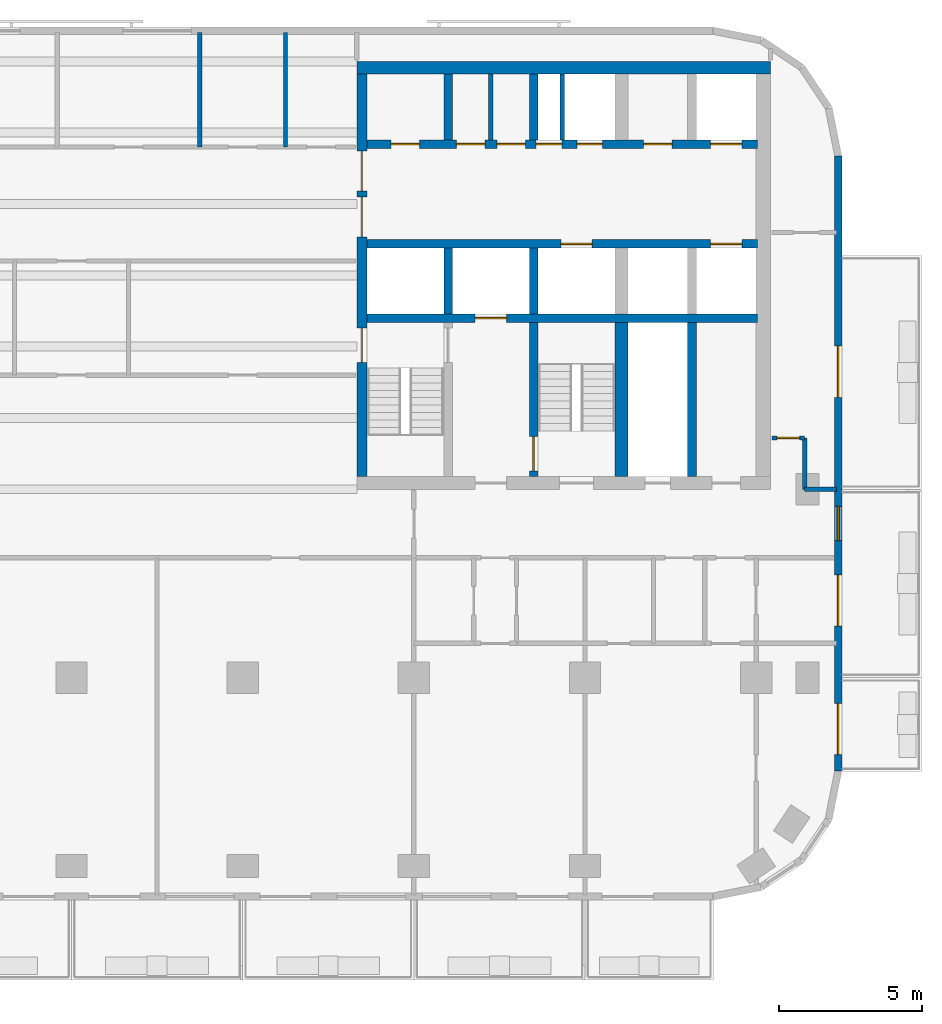
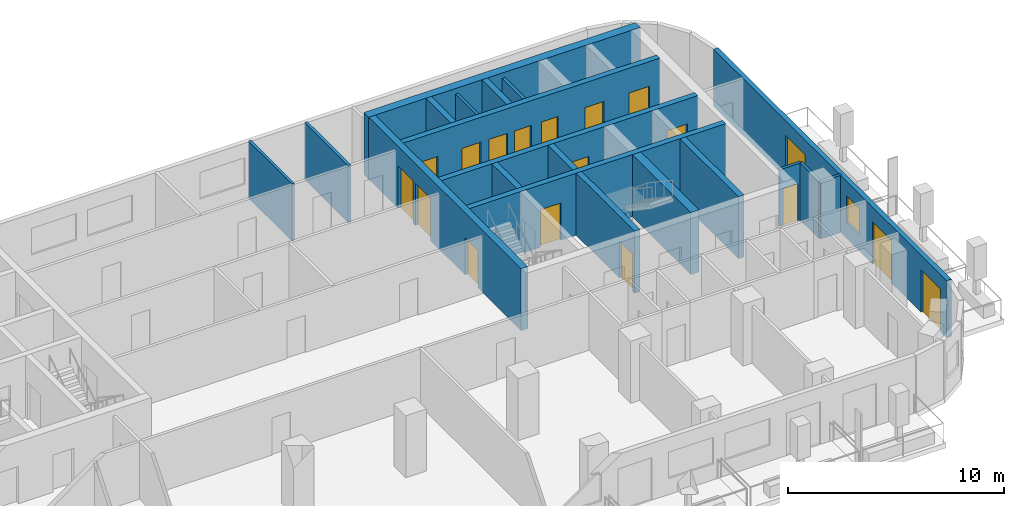
# One storey, part 6 of 11: 20 walls, 18 doors, 1 window, 19 openings.
"""IFC4 building model written with IfcOpenShell, lengths in metres."""

from ifc_helpers import new_model, si_unit, direction, frame, frame_2d, origin, place, context, subcontext, project, spatial, rectangle, extrude, material, layer, layer_set, type_object, element, fill, save


model = new_model("IFC4")

# Units and contexts
model_context = context("Model", 3, precision=1e-05, world=origin(), true_north=direction((0.0, 1.0)))
body_context = subcontext(model_context, "Body", "Model", "MODEL_VIEW")
ifc_project = project(units=[si_unit("LENGTHUNIT", "METRE"), si_unit("AREAUNIT", "SQUARE_METRE"), si_unit("VOLUMEUNIT", "CUBIC_METRE"), si_unit("PLANEANGLEUNIT", "RADIAN"), si_unit("MASSUNIT", "GRAM", prefix="KILO")], contexts=[model_context])

# Site, building, storey
site_placement = place(None, origin())
site = spatial("IfcSite", under=ifc_project, at=site_placement, CompositionType="ELEMENT")
building_placement = place(site_placement, origin())
building = spatial("IfcBuilding", under=site, at=building_placement, Name="Torana Hotel and Residences", CompositionType="ELEMENT")
storey_placement = place(building_placement, frame((0.0, 0.0, 208.10009765625)))
storey = spatial("IfcBuildingStorey", under=building, at=storey_placement, Name="L54", CompositionType="ELEMENT", Elevation=208.10009765625)

# Wall, openings, doors
ifc_material_1 = material(Name="Concrete C70/85", Category="concrete")
ifc_layer_1 = layer(ifc_material_1, 0.300048828125)
ifc_layer_set_1 = layer_set([ifc_layer_1], Name="CORE WALL 300 C70/85")
wall_type_1 = type_object("IfcWallType", Name="CORE WALL 300 C70/85", PredefinedType="SHEAR", material=ifc_layer_set_1)
wall_1_placement = place(storey_placement, frame((10.35009765625, -2.89990234375, 0.0), z_axis=(0.0, 0.0, 1.0), x_axis=(1.0, 0.0, 0.0)))
wall_1 = element("IfcWall", 1, at=wall_1_placement, inside=storey, type_object=wall_type_1, Name="Core wall E row-N", PredefinedType="SHEAR", context=body_context, shape_type="SweptSolid", body=[
    extrude(rectangle(XDim=13.699951171875, YDim=0.300048828125, at=frame_2d((6.85009765625, 0.0))), origin(), (0.0, 0.0, 1.0), 3.5),
])
opening_1_placement = place(wall_1_placement, frame((12.050048828125, 0.0, 0.0)))
opening_1 = element("IfcOpeningElement", 2, at=opening_1_placement, cuts=wall_1, Name="Opening LD", PredefinedType="OPENING", context=body_context, shape_type="SweptSolid", body=[
    extrude(rectangle(XDim=1.10009765625, YDim=2.10009765625, at=frame_2d((0.550048828125, 1.050048828125))), frame((0.0, 0.159912109375, 0.0), z_axis=(0.0, -1.0, 0.0), x_axis=(1.0, 0.0, 0.0)), (0.0, 0.0, 1.0), 0.320068359375),
])
opening_2_placement = place(wall_1_placement, frame((5.9375, 0.0, 0.0)))
opening_2 = element("IfcOpeningElement", 3, at=opening_2_placement, cuts=wall_1, Name="Opening L54-23", PredefinedType="OPENING", context=body_context, shape_type="SweptSolid", body=[
    extrude(rectangle(XDim=0.89990234375, YDim=2.10009765625, at=frame_2d((0.449951171875, 1.050048828125))), frame((0.0, 0.159912109375, 0.0), z_axis=(0.0, -1.0, 0.0), x_axis=(1.0, 0.0, 0.0)), (0.0, 0.0, 1.0), 0.320068359375),
])
opening_3_placement = place(wall_1_placement, frame((7.362548828125, 0.0, 0.0)))
opening_3 = element("IfcOpeningElement", 4, at=opening_3_placement, cuts=wall_1, Name="Opening L54-24", PredefinedType="OPENING", context=body_context, shape_type="SweptSolid", body=[
    extrude(rectangle(XDim=0.89990234375, YDim=2.10009765625, at=frame_2d((0.449951171875, 1.050048828125))), frame((0.0, 0.159912109375, 0.0), z_axis=(0.0, -1.0, 0.0), x_axis=(1.0, 0.0, 0.0)), (0.0, 0.0, 1.0), 0.320068359375),
])
opening_4_placement = place(wall_1_placement, frame((0.85009765625, 0.0, 0.0)))
opening_4 = element("IfcOpeningElement", 5, at=opening_4_placement, cuts=wall_1, Name="Opening L54-25", PredefinedType="OPENING", context=body_context, shape_type="SweptSolid", body=[
    extrude(rectangle(XDim=1.0, YDim=2.10009765625, at=frame_2d((0.5, 1.050048828125))), frame((0.0, 0.159912109375, 0.0), z_axis=(0.0, -1.0, 0.0), x_axis=(1.0, 0.0, 0.0)), (0.0, 0.0, 1.0), 0.320068359375),
])
opening_5_placement = place(wall_1_placement, frame((3.137451171875, 0.0, 0.0)))
opening_5 = element("IfcOpeningElement", 6, at=opening_5_placement, cuts=wall_1, Name="Opening L54-26", PredefinedType="OPENING", context=body_context, shape_type="SweptSolid", body=[
    extrude(rectangle(XDim=1.0, YDim=2.10009765625, at=frame_2d((0.5, 1.050048828125))), frame((0.0, 0.159912109375, 0.0), z_axis=(0.0, -1.0, 0.0), x_axis=(1.0, 0.0, 0.0)), (0.0, 0.0, 1.0), 0.320068359375),
])
opening_6_placement = place(wall_1_placement, frame((4.5625, 0.0, 0.0)))
opening_6 = element("IfcOpeningElement", 7, at=opening_6_placement, cuts=wall_1, Name="Opening L54-27", PredefinedType="OPENING", context=body_context, shape_type="SweptSolid", body=[
    extrude(rectangle(XDim=1.0, YDim=2.10009765625, at=frame_2d((0.5, 1.050048828125))), frame((0.0, 0.159912109375, 0.0), z_axis=(0.0, -1.0, 0.0), x_axis=(1.0, 0.0, 0.0)), (0.0, 0.0, 1.0), 0.320068359375),
])
opening_7_placement = place(wall_1_placement, frame((9.699951171875, 0.0, 0.0)))
opening_7 = element("IfcOpeningElement", 8, at=opening_7_placement, cuts=wall_1, Name="Opening L54-28", PredefinedType="OPENING", context=body_context, shape_type="SweptSolid", body=[
    extrude(rectangle(XDim=1.0, YDim=2.10009765625, at=frame_2d((0.5, 1.050048828125))), frame((0.0, 0.159912109375, 0.0), z_axis=(0.0, -1.0, 0.0), x_axis=(1.0, 0.0, 0.0)), (0.0, 0.0, 1.0), 0.320068359375),
])
ifc_material_2 = material(Name="Steel S235", Category="steel")
door_type_1 = type_object("IfcDoorType", Name="CORE ROOM FIRE DOOR D14 1000x2100", OperationType="SINGLE_SWING_LEFT", PredefinedType="DOOR", material=ifc_material_2)
door_1_placement = place(opening_4_placement, origin())
door_1 = element("IfcDoor", 9, at=door_1_placement, inside=storey, type_object=door_type_1, Name="N0 door L54", OperationType="SINGLE_SWING_RIGHT", OverallHeight=2.10009765625, OverallWidth=1.0, PredefinedType="DOOR", context=body_context, shape_type="SweptSolid", body=[
    extrude(rectangle(XDim=1.0, YDim=2.10009765625, at=frame_2d((0.5, 1.050048828125))), frame((0.0, 0.02490234375, 0.0), z_axis=(0.0, -1.0, 0.0), x_axis=(1.0, 0.0, 0.0)), (0.0, 0.0, 1.0), 0.050048828125),
])
fill(opening_4, door_1)
door_2_placement = place(opening_5_placement, origin())
door_2 = element("IfcDoor", 10, at=door_2_placement, inside=storey, type_object=door_type_1, Name="N1A door L54", OperationType="SINGLE_SWING_RIGHT", OverallHeight=2.10009765625, OverallWidth=1.0, PredefinedType="DOOR", context=body_context, shape_type="SweptSolid", body=[
    extrude(rectangle(XDim=1.0, YDim=2.10009765625, at=frame_2d((0.5, 1.050048828125))), frame((0.0, 0.02490234375, 0.0), z_axis=(0.0, -1.0, 0.0), x_axis=(1.0, 0.0, 0.0)), (0.0, 0.0, 1.0), 0.050048828125),
])
fill(opening_5, door_2)
door_3_placement = place(opening_6_placement, origin())
door_3 = element("IfcDoor", 11, at=door_3_placement, inside=storey, type_object=door_type_1, Name="N1B door L54", OperationType="SINGLE_SWING_RIGHT", OverallHeight=2.10009765625, OverallWidth=1.0, PredefinedType="DOOR", context=body_context, shape_type="SweptSolid", body=[
    extrude(rectangle(XDim=1.0, YDim=2.10009765625, at=frame_2d((0.5, 1.050048828125))), frame((0.0, 0.02490234375, 0.0), z_axis=(0.0, -1.0, 0.0), x_axis=(1.0, 0.0, 0.0)), (0.0, 0.0, 1.0), 0.050048828125),
])
fill(opening_6, door_3)
door_4_placement = place(opening_7_placement, origin())
door_4 = element("IfcDoor", 12, at=door_4_placement, inside=storey, type_object=door_type_1, Name="Freed-S2 door L54", OperationType="SINGLE_SWING_RIGHT", OverallHeight=2.10009765625, OverallWidth=1.0, PredefinedType="DOOR", context=body_context, shape_type="SweptSolid", body=[
    extrude(rectangle(XDim=1.0, YDim=2.10009765625, at=frame_2d((0.5, 1.050048828125))), frame((0.0, 0.02490234375, 0.0), z_axis=(0.0, -1.0, 0.0), x_axis=(1.0, 0.0, 0.0)), (0.0, 0.0, 1.0), 0.050048828125),
])
fill(opening_7, door_4)
ifc_material_3 = material(Name="Stainless steel 316", Category="steel")
door_type_2 = type_object("IfcDoorType", Name="LIFT LANDING DOOR LD 1100x2100", OperationType="DOUBLE_DOOR_SLIDING", PredefinedType="USERDEFINED", material=ifc_material_3)
door_5_placement = place(opening_1_placement, origin())
door_5 = element("IfcDoor", 13, at=door_5_placement, inside=storey, type_object=door_type_2, Name="Lift landing door M3 L54", ObjectType="LIFT LANDING DOOR", OperationType="DOUBLE_DOOR_SLIDING", OverallHeight=2.10009765625, OverallWidth=1.10009765625, PredefinedType="USERDEFINED", context=body_context, shape_type="SweptSolid", body=[
    extrude(rectangle(XDim=1.10009765625, YDim=2.10009765625, at=frame_2d((0.550048828125, 1.050048828125))), frame((0.0, 0.02490234375, 0.0), z_axis=(0.0, -1.0, 0.0), x_axis=(1.0, 0.0, 0.0)), (0.0, 0.0, 1.0), 0.050048828125),
])
fill(opening_1, door_5)
ifc_material_4 = material(Name="Steel S235", Category="steel")
door_type_3 = type_object("IfcDoorType", Name="RISER ACCESS DOOR D5 900x2100", OperationType="SINGLE_SWING_LEFT", PredefinedType="DOOR", material=ifc_material_4)
door_6_placement = place(opening_2_placement, origin())
door_6 = element("IfcDoor", 14, at=door_6_placement, inside=storey, type_object=door_type_3, Name="N2A door L54", OperationType="SINGLE_SWING_RIGHT", OverallHeight=2.10009765625, OverallWidth=0.89990234375, PredefinedType="DOOR", context=body_context, shape_type="SweptSolid", body=[
    extrude(rectangle(XDim=0.89990234375, YDim=2.10009765625, at=frame_2d((0.449951171875, 1.050048828125))), frame((0.0, 0.02490234375, 0.0), z_axis=(0.0, -1.0, 0.0), x_axis=(1.0, 0.0, 0.0)), (0.0, 0.0, 1.0), 0.050048828125),
])
fill(opening_2, door_6)
door_7_placement = place(opening_3_placement, origin())
door_7 = element("IfcDoor", 15, at=door_7_placement, inside=storey, type_object=door_type_3, Name="N2B door L54", OperationType="SINGLE_SWING_RIGHT", OverallHeight=2.10009765625, OverallWidth=0.89990234375, PredefinedType="DOOR", context=body_context, shape_type="SweptSolid", body=[
    extrude(rectangle(XDim=0.89990234375, YDim=2.10009765625, at=frame_2d((0.449951171875, 1.050048828125))), frame((0.0, 0.02490234375, 0.0), z_axis=(0.0, -1.0, 0.0), x_axis=(1.0, 0.0, 0.0)), (0.0, 0.0, 1.0), 0.050048828125),
])
fill(opening_3, door_7)

wall_2_placement = place(storey_placement, frame((10.35009765625, -6.39990234375, 0.0), z_axis=(0.0, 0.0, 1.0), x_axis=(1.0, 0.0, 0.0)))
wall_2 = element("IfcWall", 16, at=wall_2_placement, inside=storey, type_object=wall_type_1, Name="Core wall E row-S", PredefinedType="SHEAR", context=body_context, shape_type="SweptSolid", body=[
    extrude(rectangle(XDim=13.699951171875, YDim=0.300048828125, at=frame_2d((6.85009765625, 0.0))), origin(), (0.0, 0.0, 1.0), 3.5),
])
opening_8_placement = place(wall_2_placement, frame((12.050048828125, 0.0, 0.0)))
opening_8 = element("IfcOpeningElement", 17, at=opening_8_placement, cuts=wall_2, Name="Opening LD", PredefinedType="OPENING", context=body_context, shape_type="SweptSolid", body=[
    extrude(rectangle(XDim=1.10009765625, YDim=2.10009765625, at=frame_2d((0.550048828125, 1.050048828125))), frame((0.0, 0.159912109375, 0.0), z_axis=(0.0, -1.0, 0.0), x_axis=(1.0, 0.0, 0.0)), (0.0, 0.0, 1.0), 0.320068359375),
])
opening_9_placement = place(wall_2_placement, frame((6.800048828125, 0.0, 0.0)))
opening_9 = element("IfcOpeningElement", 18, at=opening_9_placement, cuts=wall_2, Name="Opening LD", PredefinedType="OPENING", context=body_context, shape_type="SweptSolid", body=[
    extrude(rectangle(XDim=1.10009765625, YDim=2.10009765625, at=frame_2d((0.550048828125, 1.050048828125))), frame((0.0, 0.159912109375, 0.0), z_axis=(0.0, -1.0, 0.0), x_axis=(1.0, 0.0, 0.0)), (0.0, 0.0, 1.0), 0.320068359375),
])
door_8_placement = place(opening_8_placement, origin())
door_8 = element("IfcDoor", 19, at=door_8_placement, inside=storey, type_object=door_type_2, Name="Lift landing door M4 L54", ObjectType="LIFT LANDING DOOR", OperationType="DOUBLE_DOOR_SLIDING", OverallHeight=2.10009765625, OverallWidth=1.10009765625, PredefinedType="USERDEFINED", context=body_context, shape_type="SweptSolid", body=[
    extrude(rectangle(XDim=1.10009765625, YDim=2.10009765625, at=frame_2d((0.550048828125, 1.050048828125))), frame((0.0, 0.02490234375, 0.0), z_axis=(0.0, -1.0, 0.0), x_axis=(1.0, 0.0, 0.0)), (0.0, 0.0, 1.0), 0.050048828125),
])
fill(opening_8, door_8)
door_9_placement = place(opening_9_placement, origin())
door_9 = element("IfcDoor", 20, at=door_9_placement, inside=storey, type_object=door_type_2, Name="Lift landing door SV2 L54", ObjectType="LIFT LANDING DOOR", OperationType="DOUBLE_DOOR_SLIDING", OverallHeight=2.10009765625, OverallWidth=1.10009765625, PredefinedType="USERDEFINED", context=body_context, shape_type="SweptSolid", body=[
    extrude(rectangle(XDim=1.10009765625, YDim=2.10009765625, at=frame_2d((0.550048828125, 1.050048828125))), frame((0.0, 0.02490234375, 0.0), z_axis=(0.0, -1.0, 0.0), x_axis=(1.0, 0.0, 0.0)), (0.0, 0.0, 1.0), 0.050048828125),
])
fill(opening_9, door_9)

# Wall, opening, door
wall_3_placement = place(storey_placement, frame((10.35009765625, -9.0, 0.0), z_axis=(0.0, 0.0, 1.0), x_axis=(1.0, 0.0, 0.0)))
wall_3 = element("IfcWall", 21, at=wall_3_placement, inside=storey, type_object=wall_type_1, Name="Core wall E band", PredefinedType="SHEAR", context=body_context, shape_type="SweptSolid", body=[
    extrude(rectangle(XDim=13.699951171875, YDim=0.300048828125, at=frame_2d((6.85009765625, 0.0))), origin(), (0.0, 0.0, 1.0), 3.5),
])
opening_10_placement = place(wall_3_placement, frame((3.800048828125, 0.0, 0.0)))
opening_10 = element("IfcOpeningElement", 22, at=opening_10_placement, cuts=wall_3, Name="Opening LD", PredefinedType="OPENING", context=body_context, shape_type="SweptSolid", body=[
    extrude(rectangle(XDim=1.10009765625, YDim=2.10009765625, at=frame_2d((0.550048828125, 1.050048828125))), frame((0.0, 0.159912109375, 0.0), z_axis=(0.0, -1.0, 0.0), x_axis=(1.0, 0.0, 0.0)), (0.0, 0.0, 1.0), 0.320068359375),
])
door_10_placement = place(opening_10_placement, origin())
door_10 = element("IfcDoor", 23, at=door_10_placement, inside=storey, type_object=door_type_2, Name="Lift landing door FF2 L54", ObjectType="LIFT LANDING DOOR", OperationType="DOUBLE_DOOR_SLIDING", OverallHeight=2.10009765625, OverallWidth=1.10009765625, PredefinedType="USERDEFINED", context=body_context, shape_type="SweptSolid", body=[
    extrude(rectangle(XDim=1.10009765625, YDim=2.10009765625, at=frame_2d((0.550048828125, 1.050048828125))), frame((0.0, 0.02490234375, 0.0), z_axis=(0.0, -1.0, 0.0), x_axis=(1.0, 0.0, 0.0)), (0.0, 0.0, 1.0), 0.050048828125),
])
fill(opening_10, door_10)

# Walls
for number, where, z_axis, x_axis, name in (
    (24, (13.199951171875, -2.75, 0.0), (0.0, 0.0, 1.0), (0.0, 1.0, 0.0), "Core wall E x3.05-N"),
    (25, (13.199951171875, -8.85009765625, 0.0), (0.0, 0.0, 1.0), (0.0, 1.0, 0.0), "Core wall E x3.05-S"),
    (26, (16.199951171875, -2.75, 0.0), (0.0, 0.0, 1.0), (0.0, 1.0, 0.0), "Core wall E x6.05-N"),
    (27, (16.199951171875, -8.85009765625, 0.0), (0.0, 0.0, 1.0), (0.0, 1.0, 0.0), "Core wall E x6.05-S"),
):
    element("IfcWall", number, at=place(storey_placement, frame(where, z_axis=z_axis, x_axis=x_axis)), inside=storey, type_object=wall_type_1, Name=name, PredefinedType="SHEAR", context=body_context, shape_type="SweptSolid", body=[
        extrude(rectangle(XDim=2.300048828125, YDim=0.300048828125, at=frame_2d((1.14990234375, 0.0))), origin(), (0.0, 0.0, 1.0), 3.5),
    ])

# Wall, opening, door
wall_4_placement = place(storey_placement, frame((16.199951171875, -14.550048828125, 0.0), z_axis=(0.0, 0.0, 1.0), x_axis=(0.0, 1.0, 0.0)))
wall_4 = element("IfcWall", 28, at=wall_4_placement, inside=storey, type_object=wall_type_1, Name="Core wall E x6.05-band", PredefinedType="SHEAR", context=body_context, shape_type="SweptSolid", body=[
    extrude(rectangle(XDim=5.400146484375, YDim=0.300048828125, at=frame_2d((2.7001953125, 0.0))), origin(), (0.0, 0.0, 1.0), 3.5),
])
opening_11_placement = place(wall_4_placement, frame((0.199951171875, 0.0, 0.0)))
opening_11 = element("IfcOpeningElement", 29, at=opening_11_placement, cuts=wall_4, Name="Opening L54-30", PredefinedType="OPENING", context=body_context, shape_type="SweptSolid", body=[
    extrude(rectangle(XDim=1.199951171875, YDim=2.10009765625, at=frame_2d((0.60009765625, 1.050048828125))), frame((0.0, 0.159912109375, 0.0), z_axis=(0.0, -1.0, 0.0), x_axis=(1.0, 0.0, 0.0)), (0.0, 0.0, 1.0), 0.320068359375),
])
ifc_material_5 = material(Name="Steel S235", Category="steel")
door_type_4 = type_object("IfcDoorType", Name="STAIR FIRE DOOR D3 1200x2100", OperationType="SINGLE_SWING_LEFT", PredefinedType="DOOR", material=ifc_material_5)
door_11_placement = place(opening_11_placement, frame((0.60009765625, 0.0, 0.0), z_axis=(0.0, 0.0, 1.0), x_axis=(-1.0, 0.0, 0.0)))
door_11 = element("IfcDoor", 30, at=door_11_placement, inside=storey, type_object=door_type_4, Name="Stair-B-lobby door L54", OperationType="SINGLE_SWING_LEFT", OverallHeight=2.10009765625, OverallWidth=1.199951171875, PredefinedType="DOOR", context=body_context, shape_type="SweptSolid", body=[
    extrude(rectangle(XDim=1.199951171875, YDim=2.10009765625, at=frame_2d((0.0, 1.050048828125))), frame((0.0, -0.02490234375, 0.0), z_axis=(0.0, 1.0, 0.0), x_axis=(-1.0, 0.0, 0.0)), (0.0, 0.0, 1.0), 0.050048828125),
])
fill(opening_11, door_11)

# Wall
wall_5_placement = place(storey_placement, frame((21.75, -14.550048828125, 0.0), z_axis=(0.0, 0.0, 1.0), x_axis=(0.0, 1.0, 0.0)))
element("IfcWall", 31, at=wall_5_placement, inside=storey, type_object=wall_type_1, Name="Core wall E mm-band", PredefinedType="SHEAR", context=body_context, shape_type="SweptSolid", body=[
    extrude(rectangle(XDim=5.400146484375, YDim=0.300048828125, at=frame_2d((2.7001953125, 0.0))), origin(), (0.0, 0.0, 1.0), 3.5),
])

# Wall, openings, doors
ifc_material_6 = material(Name="Concrete C70/85", Category="concrete")
ifc_layer_2 = layer(ifc_material_6, 0.35009765625)
ifc_layer_set_2 = layer_set([ifc_layer_2], Name="CORE WALL 350 C70/85")
wall_type_2 = type_object("IfcWallType", Name="CORE WALL 350 C70/85", PredefinedType="SHEAR", material=ifc_layer_set_2)
wall_6_placement = place(storey_placement, frame((10.175048828125, -14.550048828125, 0.0), z_axis=(0.0, 0.0, 1.0), x_axis=(0.0, 1.0, 0.0)))
wall_6 = element("IfcWall", 32, at=wall_6_placement, inside=storey, type_object=wall_type_2, Name="Core wall E arch", PredefinedType="SHEAR", context=body_context, shape_type="SweptSolid", body=[
    extrude(rectangle(XDim=14.10009765625, YDim=0.35009765625, at=frame_2d((7.050048828125, 0.0))), origin(), (0.0, 0.0, 1.0), 3.5),
])
opening_12_placement = place(wall_6_placement, frame((8.39990234375, 0.0, 0.0)))
opening_12 = element("IfcOpeningElement", 33, at=opening_12_placement, cuts=wall_6, Name="Opening L54-16", PredefinedType="OPENING", context=body_context, shape_type="SweptSolid", body=[
    extrude(rectangle(XDim=1.39990234375, YDim=2.39990234375, at=frame_2d((0.699951171875, 1.199951171875))), frame((0.0, 0.18505859375, 0.0), z_axis=(0.0, -1.0, 0.0), x_axis=(1.0, 0.0, 0.0)), (0.0, 0.0, 1.0), 0.3701171875),
])
opening_13_placement = place(wall_6_placement, frame((10.0, 0.0, 0.0)))
opening_13 = element("IfcOpeningElement", 34, at=opening_13_placement, cuts=wall_6, Name="Opening L54-17", PredefinedType="OPENING", context=body_context, shape_type="SweptSolid", body=[
    extrude(rectangle(XDim=1.39990234375, YDim=2.39990234375, at=frame_2d((0.699951171875, 1.199951171875))), frame((0.0, 0.18505859375, 0.0), z_axis=(0.0, -1.0, 0.0), x_axis=(1.0, 0.0, 0.0)), (0.0, 0.0, 1.0), 0.3701171875),
])
opening_14_placement = place(wall_6_placement, frame((4.0, 0.0, 0.0)))
opening_14 = element("IfcOpeningElement", 35, at=opening_14_placement, cuts=wall_6, Name="Opening L54-18", PredefinedType="OPENING", context=body_context, shape_type="SweptSolid", body=[
    extrude(rectangle(XDim=1.199951171875, YDim=2.10009765625, at=frame_2d((0.60009765625, 1.050048828125))), frame((0.0, 0.18505859375, 0.0), z_axis=(0.0, -1.0, 0.0), x_axis=(1.0, 0.0, 0.0)), (0.0, 0.0, 1.0), 0.3701171875),
])
ifc_material_7 = material(Name="Steel S235", Category="steel")
door_type_5 = type_object("IfcDoorType", Name="LOBBY FIRE DOOR D4 1400x2400", OperationType="DOUBLE_DOOR_SINGLE_SWING", PredefinedType="DOOR", material=ifc_material_7)
door_12_placement = place(opening_12_placement, origin())
door_12 = element("IfcDoor", 36, at=door_12_placement, inside=storey, type_object=door_type_5, Name="Lobby-1 door L54", OperationType="DOUBLE_DOOR_SINGLE_SWING", OverallHeight=2.39990234375, OverallWidth=1.39990234375, PredefinedType="DOOR", context=body_context, shape_type="SweptSolid", body=[
    extrude(rectangle(XDim=1.39990234375, YDim=2.39990234375, at=frame_2d((0.699951171875, 1.199951171875))), frame((0.0, 0.02490234375, 0.0), z_axis=(0.0, -1.0, 0.0), x_axis=(1.0, 0.0, 0.0)), (0.0, 0.0, 1.0), 0.050048828125),
])
fill(opening_12, door_12)
door_13_placement = place(opening_13_placement, origin())
door_13 = element("IfcDoor", 37, at=door_13_placement, inside=storey, type_object=door_type_5, Name="Lobby-2 door L54", OperationType="DOUBLE_DOOR_SINGLE_SWING", OverallHeight=2.39990234375, OverallWidth=1.39990234375, PredefinedType="DOOR", context=body_context, shape_type="SweptSolid", body=[
    extrude(rectangle(XDim=1.39990234375, YDim=2.39990234375, at=frame_2d((0.699951171875, 1.199951171875))), frame((0.0, 0.02490234375, 0.0), z_axis=(0.0, -1.0, 0.0), x_axis=(1.0, 0.0, 0.0)), (0.0, 0.0, 1.0), 0.050048828125),
])
fill(opening_13, door_13)
door_14_placement = place(opening_14_placement, frame((0.60009765625, 0.0, 0.0), z_axis=(0.0, 0.0, 1.0), x_axis=(-1.0, 0.0, 0.0)))
door_14 = element("IfcDoor", 38, at=door_14_placement, inside=storey, type_object=door_type_4, Name="Stair-A door L54", OperationType="SINGLE_SWING_RIGHT", OverallHeight=2.10009765625, OverallWidth=1.199951171875, PredefinedType="DOOR", context=body_context, shape_type="SweptSolid", body=[
    extrude(rectangle(XDim=1.199951171875, YDim=2.10009765625, at=frame_2d((0.0, 1.050048828125))), frame((0.0, -0.02490234375, 0.0), z_axis=(0.0, 1.0, 0.0), x_axis=(-1.0, 0.0, 0.0)), (0.0, 0.0, 1.0), 0.050048828125),
])
fill(opening_14, door_14)

# Walls
ifc_material_8 = material(Name="Concrete C70/85", Category="concrete")
ifc_layer_3 = layer(ifc_material_8, 0.449951171875)
ifc_layer_set_3 = layer_set([ifc_layer_3], Name="CORE WALL 450 C70/85")
wall_type_3 = type_object("IfcWallType", Name="CORE WALL 450 C70/85", PredefinedType="SHEAR", material=ifc_layer_set_3)
wall_7_placement = place(storey_placement, frame((10.0, -0.22509765625, 0.0), z_axis=(0.0, 0.0, 1.0), x_axis=(1.0, 0.0, 0.0)))
element("IfcWall", 39, at=wall_7_placement, inside=storey, type_object=wall_type_3, Name="Core wall E rear", PredefinedType="SHEAR", context=body_context, shape_type="SweptSolid", body=[
    extrude(rectangle(XDim=14.5, YDim=0.449951171875, at=frame_2d((7.25, 0.0))), origin(), (0.0, 0.0, 1.0), 3.5),
])
wall_8_placement = place(storey_placement, frame((19.27490234375, -14.550048828125, 0.0), z_axis=(0.0, 0.0, 1.0), x_axis=(0.0, 1.0, 0.0)))
element("IfcWall", 40, at=wall_8_placement, inside=storey, type_object=wall_type_3, Name="Core wall E hm-band", PredefinedType="SHEAR", context=body_context, shape_type="SweptSolid", body=[
    extrude(rectangle(XDim=5.400146484375, YDim=0.449951171875, at=frame_2d((2.7001953125, 0.0))), origin(), (0.0, 0.0, 1.0), 3.5),
])

# Wall, openings, doors, window
ifc_material_9 = material(Name="Black aluminium composite panel", Category="aluminium")
ifc_layer_4 = layer(ifc_material_9, 0.00390625, Name="Cladding", Category="cladding")
ifc_material_10 = material(Name="Ventilated air cavity")
ifc_layer_5 = layer(ifc_material_10, 0.0400390625, Name="Ventilated cavity", Category="cavity")
ifc_material_11 = material(Name="Mineral wool insulation")
ifc_layer_6 = layer(ifc_material_11, 0.090087890625, Name="Insulation", Category="insulation")
ifc_material_12 = material(Name="Steel S280GD", Category="steel")
ifc_layer_7 = layer(ifc_material_12, 0.092041015625, Name="Steel stud frame", Category="structure")
ifc_material_13 = material(Name="Fire rated plasterboard")
ifc_layer_8 = layer(ifc_material_13, 0.011962890625, Name="Inner board", Category="finish")
ifc_layer_9 = layer(ifc_material_13, 0.011962890625, Name="Second board", Category="finish")
ifc_layer_set_4 = layer_set([ifc_layer_4, ifc_layer_5, ifc_layer_6, ifc_layer_7, ifc_layer_8, ifc_layer_9], Name="EW1 EXTERNAL WALL BLACK METAL CLAD 250")
wall_type_4 = type_object("IfcWallType", Name="EW1 EXTERNAL WALL BLACK METAL CLAD 250", PredefinedType="SOLIDWALL", material=ifc_layer_set_4)
wall_9_placement = place(storey_placement, frame((26.875, -24.87548828125, 0.0), z_axis=(0.0, 0.0, 1.0), x_axis=(0.0, 1.0, 0.0)))
wall_9 = element("IfcWall", 41, at=wall_9_placement, inside=storey, type_object=wall_type_4, Name="External wall L54 e0.19", PredefinedType="SOLIDWALL", context=body_context, shape_type="SweptSolid", body=[
    extrude(rectangle(XDim=21.55078125, YDim=0.25, at=frame_2d((10.775390625, 0.0))), origin(), (0.0, 0.0, 1.0), 3.219970703125),
])
opening_15_placement = place(wall_9_placement, frame((0.575439453125, 0.0, 0.0)))
opening_15 = element("IfcOpeningElement", 42, at=opening_15_placement, cuts=wall_9, Name="Opening L54-E09", PredefinedType="OPENING", context=body_context, shape_type="SweptSolid", body=[
    extrude(rectangle(XDim=1.800048828125, YDim=2.39990234375, at=frame_2d((0.89990234375, 1.199951171875))), frame((0.0, 0.135009765625, 0.0), z_axis=(0.0, -1.0, 0.0), x_axis=(1.0, 0.0, 0.0)), (0.0, 0.0, 1.0), 0.27001953125),
])
opening_16_placement = place(wall_9_placement, frame((5.075439453125, 0.0, 0.0)))
opening_16 = element("IfcOpeningElement", 43, at=opening_16_placement, cuts=wall_9, Name="Opening L54-E10", PredefinedType="OPENING", context=body_context, shape_type="SweptSolid", body=[
    extrude(rectangle(XDim=1.800048828125, YDim=2.39990234375, at=frame_2d((0.89990234375, 1.199951171875))), frame((0.0, 0.135009765625, 0.0), z_axis=(0.0, -1.0, 0.0), x_axis=(1.0, 0.0, 0.0)), (0.0, 0.0, 1.0), 0.27001953125),
])
opening_17_placement = place(wall_9_placement, frame((8.075439453125, 0.0, 0.89990234375)))
opening_17 = element("IfcOpeningElement", 44, at=opening_17_placement, cuts=wall_9, Name="Opening W5", PredefinedType="OPENING", context=body_context, shape_type="SweptSolid", body=[
    extrude(rectangle(XDim=1.199951171875, YDim=1.5, at=frame_2d((0.60009765625, 0.75))), frame((0.0, 0.135009765625, 0.0), z_axis=(0.0, -1.0, 0.0), x_axis=(1.0, 0.0, 0.0)), (0.0, 0.0, 1.0), 0.27001953125),
])
opening_18_placement = place(wall_9_placement, frame((13.100341796875, 0.0, 0.0)))
opening_18 = element("IfcOpeningElement", 45, at=opening_18_placement, cuts=wall_9, Name="Opening L54-E11", PredefinedType="OPENING", context=body_context, shape_type="SweptSolid", body=[
    extrude(rectangle(XDim=1.800048828125, YDim=2.39990234375, at=frame_2d((0.89990234375, 1.199951171875))), frame((0.0, 0.135009765625, 0.0), z_axis=(0.0, -1.0, 0.0), x_axis=(1.0, 0.0, 0.0)), (0.0, 0.0, 1.0), 0.27001953125),
])
ifc_material_14 = material(Name="Dark glass in black aluminium frame", Category="aluminium")
door_type_6 = type_object("IfcDoorType", Name="DB1 BALCONY DOOR 1800x2400", OperationType="DOUBLE_DOOR_SINGLE_SWING", PredefinedType="DOOR", material=ifc_material_14)
door_15_placement = place(opening_15_placement, origin())
door_15 = element("IfcDoor", 46, at=door_15_placement, inside=storey, type_object=door_type_6, Name="Balcony door L54", OperationType="DOUBLE_DOOR_SINGLE_SWING", OverallHeight=2.39990234375, OverallWidth=1.800048828125, PredefinedType="DOOR", context=body_context, shape_type="SweptSolid", body=[
    extrude(rectangle(XDim=1.800048828125, YDim=2.39990234375, at=frame_2d((0.89990234375, 1.199951171875))), frame((0.0, 0.02490234375, 0.0), z_axis=(0.0, -1.0, 0.0), x_axis=(1.0, 0.0, 0.0)), (0.0, 0.0, 1.0), 0.050048828125),
])
fill(opening_15, door_15)
door_16_placement = place(opening_16_placement, origin())
door_16 = element("IfcDoor", 47, at=door_16_placement, inside=storey, type_object=door_type_6, Name="Balcony door L54", OperationType="DOUBLE_DOOR_SINGLE_SWING", OverallHeight=2.39990234375, OverallWidth=1.800048828125, PredefinedType="DOOR", context=body_context, shape_type="SweptSolid", body=[
    extrude(rectangle(XDim=1.800048828125, YDim=2.39990234375, at=frame_2d((0.89990234375, 1.199951171875))), frame((0.0, 0.02490234375, 0.0), z_axis=(0.0, -1.0, 0.0), x_axis=(1.0, 0.0, 0.0)), (0.0, 0.0, 1.0), 0.050048828125),
])
fill(opening_16, door_16)
door_17_placement = place(opening_18_placement, origin())
door_17 = element("IfcDoor", 48, at=door_17_placement, inside=storey, type_object=door_type_6, Name="Balcony door L54", OperationType="DOUBLE_DOOR_SINGLE_SWING", OverallHeight=2.39990234375, OverallWidth=1.800048828125, PredefinedType="DOOR", context=body_context, shape_type="SweptSolid", body=[
    extrude(rectangle(XDim=1.800048828125, YDim=2.39990234375, at=frame_2d((0.89990234375, 1.199951171875))), frame((0.0, 0.02490234375, 0.0), z_axis=(0.0, -1.0, 0.0), x_axis=(1.0, 0.0, 0.0)), (0.0, 0.0, 1.0), 0.050048828125),
])
fill(opening_18, door_17)
ifc_material_15 = material(Name="Dark glass in black aluminium frame", Category="aluminium")
window_type = type_object("IfcWindowType", Name="W5 CORNER FACET WINDOW 1200x1500", PartitioningType="SINGLE_PANEL", PredefinedType="WINDOW", material=ifc_material_15)
window_placement = place(opening_17_placement, origin())
window = element("IfcWindow", 49, at=window_placement, inside=storey, type_object=window_type, Name="Window L54", OverallHeight=1.5, OverallWidth=1.199951171875, PartitioningType="SINGLE_PANEL", PredefinedType="WINDOW", context=body_context, shape_type="SweptSolid", body=[
    extrude(rectangle(XDim=1.199951171875, YDim=1.5, at=frame_2d((0.60009765625, 0.75))), frame((0.0, 0.030029296875, 0.0), z_axis=(0.0, -1.0, 0.0), x_axis=(1.0, 0.0, 0.0)), (0.0, 0.0, 1.0), 0.06005859375),
])
fill(opening_17, window)

# Walls
ifc_material_16 = material(Name="Gypsum plaster")
ifc_layer_10 = layer(ifc_material_16, 0.014892578125, Name="Plaster", Category="finish")
ifc_material_17 = material(Name="Concrete blockwork", Category="masonry")
ifc_layer_11 = layer(ifc_material_17, 0.1201171875, Name="Blockwork", Category="structure")
ifc_layer_12 = layer(ifc_material_16, 0.014892578125, Name="Plaster", Category="finish")
ifc_layer_set_5 = layer_set([ifc_layer_10, ifc_layer_11, ifc_layer_12], Name="FIRE PARTITION 150 BLOCKWORK")
wall_type_5 = type_object("IfcWallType", Name="FIRE PARTITION 150 BLOCKWORK", PredefinedType="PARTITIONING", material=ifc_layer_set_5)
for number, where, z_axis, x_axis, name in (
    (50, (17.199951171875, -2.75, 0.0), (0.0, 0.0, 1.0), (0.0, 1.0, 0.0), "Core partition L54"),
    (51, (14.699951171875, -2.75, 0.0), (0.0, 0.0, 1.0), (0.0, 1.0, 0.0), "Core partition L54"),
):
    element("IfcWall", number, at=place(storey_placement, frame(where, z_axis=z_axis, x_axis=x_axis)), inside=storey, type_object=wall_type_5, Name=name, PredefinedType="PARTITIONING", context=body_context, shape_type="SweptSolid", body=[
        extrude(rectangle(XDim=2.300048828125, YDim=0.14990234375, at=frame_2d((1.14990234375, 0.0))), origin(), (0.0, 0.0, 1.0), 3.199951171875),
    ])
wall_10_placement = place(storey_placement, frame((25.699951171875, -15.0, 0.0), z_axis=(0.0, 0.0, 1.0), x_axis=(0.0, 1.0, 0.0)))
element("IfcWall", 52, at=wall_10_placement, inside=storey, type_object=wall_type_5, Name="Partition L54", PredefinedType="PARTITIONING", context=body_context, shape_type="SweptSolid", body=[
    extrude(rectangle(XDim=1.800048828125, YDim=0.14990234375, at=frame_2d((0.89990234375, 0.0))), origin(), (0.0, 0.0, 1.0), 3.219970703125),
])
wall_11_placement = place(storey_placement, frame((25.699951171875, -15.0, 0.0), z_axis=(0.0, 0.0, 1.0), x_axis=(1.0, 0.0, 0.0)))
element("IfcWall", 53, at=wall_11_placement, inside=storey, type_object=wall_type_5, Name="Partition L54", PredefinedType="PARTITIONING", context=body_context, shape_type="SweptSolid", body=[
    extrude(rectangle(XDim=1.1201171875, YDim=0.14990234375, at=frame_2d((0.56005859375, 0.0))), origin(), (0.0, 0.0, 1.0), 3.219970703125),
])

# Wall, opening, door
wall_12_placement = place(storey_placement, frame((24.550048828125, -13.199951171875, 0.0), z_axis=(0.0, 0.0, 1.0), x_axis=(1.0, 0.0, 0.0)))
wall_12 = element("IfcWall", 54, at=wall_12_placement, inside=storey, type_object=wall_type_5, Name="Partition L54", PredefinedType="PARTITIONING", context=body_context, shape_type="SweptSolid", body=[
    extrude(rectangle(XDim=1.14990234375, YDim=0.14990234375, at=frame_2d((0.574951171875, 0.0))), origin(), (0.0, 0.0, 1.0), 3.219970703125),
])
opening_19_placement = place(wall_12_placement, frame((0.175048828125, 0.0, 0.0)))
opening_19 = element("IfcOpeningElement", 55, at=opening_19_placement, cuts=wall_12, Name="Opening L54-39", PredefinedType="OPENING", context=body_context, shape_type="SweptSolid", body=[
    extrude(rectangle(XDim=0.800048828125, YDim=2.10009765625, at=frame_2d((0.39990234375, 1.050048828125))), frame((0.0, 0.0849609375, 0.0), z_axis=(0.0, -1.0, 0.0), x_axis=(1.0, 0.0, 0.0)), (0.0, 0.0, 1.0), 0.169921875),
])
ifc_material_18 = material(Name="Steel S235", Category="steel")
door_type_7 = type_object("IfcDoorType", Name="STORE FIRE DOOR D16 800x2100", OperationType="SINGLE_SWING_LEFT", PredefinedType="DOOR", material=ifc_material_18)
door_18_placement = place(opening_19_placement, origin())
door_18 = element("IfcDoor", 56, at=door_18_placement, inside=storey, type_object=door_type_7, Name="Door L54", OperationType="SINGLE_SWING_RIGHT", OverallHeight=2.10009765625, OverallWidth=0.800048828125, PredefinedType="DOOR", context=body_context, shape_type="SweptSolid", body=[
    extrude(rectangle(XDim=0.800048828125, YDim=2.10009765625, at=frame_2d((0.39990234375, 1.050048828125))), frame((0.0, 0.02490234375, 0.0), z_axis=(0.0, -1.0, 0.0), x_axis=(1.0, 0.0, 0.0)), (0.0, 0.0, 1.0), 0.050048828125),
])
fill(opening_19, door_18)

# Walls
ifc_material_19 = material(Name="Ceramic tile on adhesive")
ifc_layer_13 = layer(ifc_material_19, 0.010009765625, Name="Wall tile", Category="finish")
ifc_material_20 = material(Name="Cement render")
ifc_layer_14 = layer(ifc_material_20, 0.010009765625, Name="Render", Category="finish")
ifc_layer_15 = layer(ifc_material_17, 0.110107421875, Name="Blockwork", Category="structure")
ifc_layer_16 = layer(ifc_material_20, 0.010009765625, Name="Render", Category="finish")
ifc_layer_17 = layer(ifc_material_19, 0.010009765625, Name="Wall tile", Category="finish")
ifc_layer_set_6 = layer_set([ifc_layer_13, ifc_layer_14, ifc_layer_15, ifc_layer_16, ifc_layer_17], Name="WC PARTITION 150")
wall_type_6 = type_object("IfcWallType", Name="WC PARTITION 150", PredefinedType="PLUMBINGWALL", material=ifc_layer_set_6)
for number, where, z_axis, x_axis, name in (
    (57, (7.5, -3.0, 0.0), (0.0, 0.0, 1.0), (0.0, 1.0, 0.0), "Partition L54"),
    (58, (4.5, -3.0, 0.0), (0.0, 0.0, 1.0), (0.0, 1.0, 0.0), "Partition L54"),
):
    element("IfcWall", number, at=place(storey_placement, frame(where, z_axis=z_axis, x_axis=x_axis)), inside=storey, type_object=wall_type_6, Name=name, PredefinedType="PLUMBINGWALL", context=body_context, shape_type="SweptSolid", body=[
        extrude(rectangle(XDim=4.02001953125, YDim=0.14990234375, at=frame_2d((2.010009765625, 0.0))), origin(), (0.0, 0.0, 1.0), 3.219970703125),
    ])

save(model, "model.ifc")
